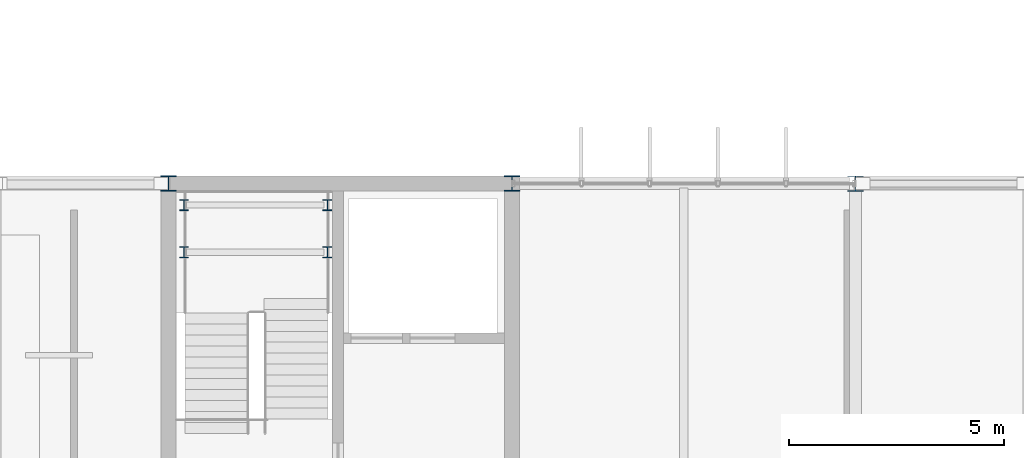
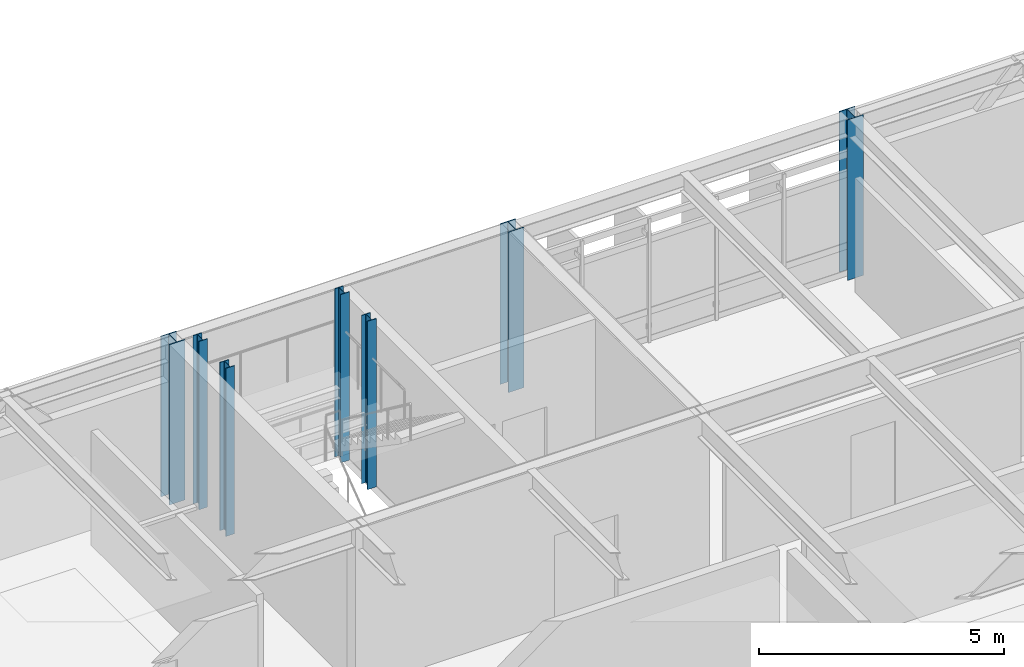
# One storey, part 2 of 33: 7 columns.
"""IFC4 building model written with IfcOpenShell, lengths in metres."""

from ifc_helpers import new_model, si_unit, direction, frame, origin, origin_2d, place, context, subcontext, project, spatial, i_section, extrude, material, material_profile, profile_set, type_object, element, save


model = new_model("IFC4")

# Units and contexts
model_context = context("Model", 3, precision=1e-05, world=origin(), true_north=direction((0.0, 1.0)))
body_context = subcontext(model_context, "Body", "Model", "MODEL_VIEW")
ifc_project = project(units=[si_unit("LENGTHUNIT", "METRE"), si_unit("AREAUNIT", "SQUARE_METRE"), si_unit("VOLUMEUNIT", "CUBIC_METRE"), si_unit("PLANEANGLEUNIT", "RADIAN"), si_unit("MASSUNIT", "GRAM", prefix="KILO")], contexts=[model_context])

# Site, building, storey
site_placement = place(None, origin())
site = spatial("IfcSite", under=ifc_project, at=site_placement, CompositionType="ELEMENT")
building_placement = place(site_placement, origin())
building = spatial("IfcBuilding", under=site, at=building_placement, Name="Zulena Civic Courthouse", CompositionType="ELEMENT")
storey_placement = place(building_placement, frame((0.0, 0.0, 33.60009765625)))
storey = spatial("IfcBuildingStorey", under=building, at=storey_placement, Name="L07", CompositionType="ELEMENT", Elevation=33.60009765625)

# Columns
ifc_material = material(Name="Steel ASTM A992 Grade 50", Category="steel")
ifc_material_profile_1 = material_profile(ifc_material, i_section(OverallWidth=0.2041015625, OverallDepth=0.257080078125, WebThickness=0.0087890625, FlangeThickness=0.015625, FilletRadius=0.0126953125, at=origin_2d()), Name="W10X45")
ifc_profile_set_1 = profile_set([ifc_material_profile_1], Name="Steel ASTM A992 Grade 50")
column_type_1 = type_object("IfcColumnType", Name="Col_W10X45", PredefinedType="COLUMN", material=ifc_profile_set_1)
for number, where, z_axis, x_axis, name in (
    (1, (20.360107421875, 21.199951171875, 0.0), (0.0, 0.0, 1.0), (1.0, 0.0, 0.0), "col:lnd:K2A:L07:0:0"),
    (2, (23.699951171875, 21.199951171875, 0.0), (0.0, 0.0, 1.0), (1.0, 0.0, 0.0), "col:lnd:K2A:L07:0:1"),
    (3, (20.360107421875, 22.300048828125, 0.0), (0.0, 0.0, 1.0), (1.0, 0.0, 0.0), "col:lnd:K2A:L07:1:0"),
    (4, (23.699951171875, 22.300048828125, 0.0), (0.0, 0.0, 1.0), (1.0, 0.0, 0.0), "col:lnd:K2A:L07:1:1"),
):
    element("IfcColumn", number, at=place(storey_placement, frame(where, z_axis=z_axis, x_axis=x_axis)), inside=storey, type_object=column_type_1, Name=name, PredefinedType="COLUMN", context=body_context, shape_type="SweptSolid", body=[
        extrude(i_section(OverallWidth=0.2041015625, OverallDepth=0.257080078125, WebThickness=0.0087890625, FlangeThickness=0.015625, FilletRadius=0.0126953125, at=origin_2d()), origin(), (0.0, 0.0, 1.0), 4.19482421875),
    ])
ifc_material_profile_2 = material_profile(ifc_material, i_section(OverallWidth=0.368896484375, OverallDepth=0.35595703125, WebThickness=0.01123046875, FlangeThickness=0.01806640625, FilletRadius=0.01513671875, at=origin_2d()), Name="W14X90")
ifc_profile_set_2 = profile_set([ifc_material_profile_2], Name="Steel ASTM A992 Grade 50")
column_type_2 = type_object("IfcColumnType", Name="Col_W14X90", PredefinedType="COLUMN", material=ifc_profile_set_2)
for number, where, z_axis, x_axis, name in (
    (5, (20.0, 22.800048828125, 0.0), (0.0, 0.0, 1.0), (1.0, 0.0, 0.0), "col:V2:L07:20.0:22.8"),
    (6, (28.0, 22.800048828125, 0.0), (0.0, 0.0, 1.0), (1.0, 0.0, 0.0), "col:V2:L07:28.0:22.8"),
):
    element("IfcColumn", number, at=place(storey_placement, frame(where, z_axis=z_axis, x_axis=x_axis)), inside=storey, type_object=column_type_2, Name=name, PredefinedType="COLUMN", context=body_context, shape_type="SweptSolid", body=[
        extrude(i_section(OverallWidth=0.368896484375, OverallDepth=0.35595703125, WebThickness=0.01123046875, FlangeThickness=0.01806640625, FilletRadius=0.01513671875, at=origin_2d()), origin(), (0.0, 0.0, 1.0), 4.0),
    ])
ifc_material_profile_3 = material_profile(ifc_material, i_section(OverallWidth=0.3701171875, OverallDepth=0.360107421875, WebThickness=0.01220703125, FlangeThickness=0.019775390625, FilletRadius=0.01513671875, at=origin_2d()), Name="W14X99")
ifc_profile_set_3 = profile_set([ifc_material_profile_3], Name="Steel ASTM A992 Grade 50")
column_type_3 = type_object("IfcColumnType", Name="Col_W14X99", PredefinedType="COLUMN", material=ifc_profile_set_3)
column_placement = place(storey_placement, frame((36.0, 22.800048828125, 0.0), z_axis=(0.0, 0.0, 1.0), x_axis=(1.0, 0.0, 0.0)))
element("IfcColumn", 7, at=column_placement, inside=storey, type_object=column_type_3, Name="col:V2:L07:36.0:22.8", PredefinedType="COLUMN", context=body_context, shape_type="SweptSolid", body=[
    extrude(i_section(OverallWidth=0.3701171875, OverallDepth=0.360107421875, WebThickness=0.01220703125, FlangeThickness=0.019775390625, FilletRadius=0.01513671875, at=origin_2d()), origin(), (0.0, 0.0, 1.0), 4.0),
])

save(model, "model.ifc")
